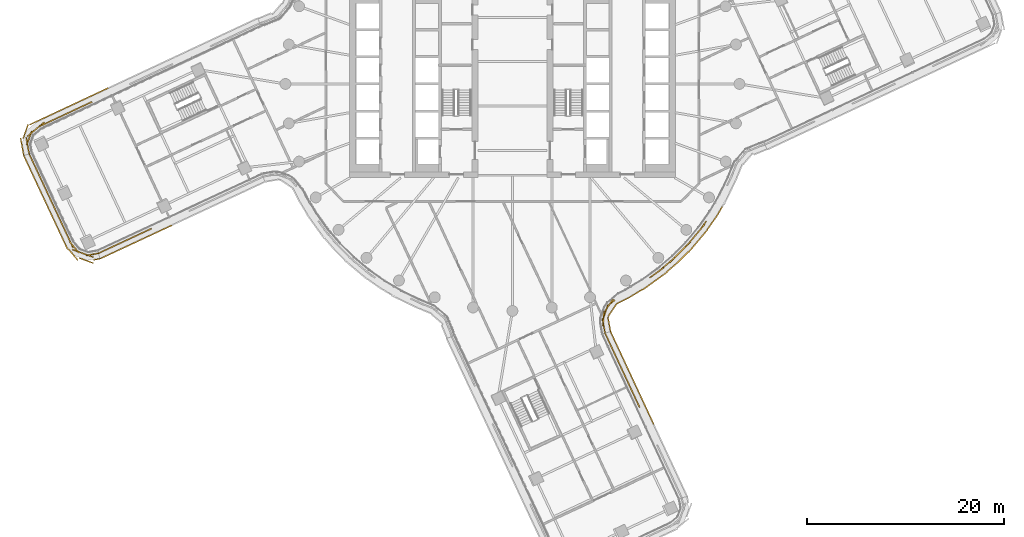
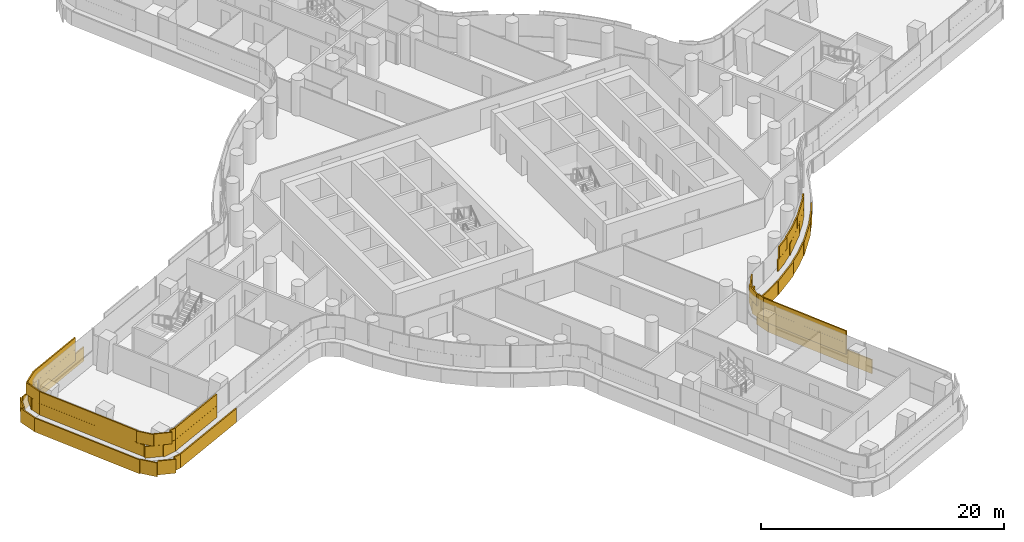
# One storey, part 30 of 36: 5 coverings.
"""IFC4 building model written with IfcOpenShell, lengths in metres."""

from ifc_helpers import new_model, si_unit, direction, frame, origin, origin_2d, place, context, subcontext, project, spatial, rectangle, extrude, material, layer, layer_set, type_object, element, save


model = new_model("IFC4")

# Units and contexts
model_context = context("Model", 3, precision=1e-05, world=origin(), true_north=direction((0.0, 1.0)))
body_context = subcontext(model_context, "Body", "Model", "MODEL_VIEW")
ifc_project = project(units=[si_unit("LENGTHUNIT", "METRE"), si_unit("AREAUNIT", "SQUARE_METRE"), si_unit("VOLUMEUNIT", "CUBIC_METRE"), si_unit("PLANEANGLEUNIT", "RADIAN"), si_unit("MASSUNIT", "GRAM", prefix="KILO")], contexts=[model_context])

# Site, building, storey
site_placement = place(None, origin())
site = spatial("IfcSite", under=ifc_project, at=site_placement, CompositionType="ELEMENT")
building_placement = place(site_placement, origin())
building = spatial("IfcBuilding", under=site, at=building_placement, Name="Tamarind Cross Interchange Tower", CompositionType="ELEMENT")
storey_placement = place(building_placement, frame((0.0, 0.0, 124.75)))
storey = spatial("IfcBuildingStorey", under=building, at=storey_placement, Name="L30", CompositionType="ELEMENT", Elevation=124.75)

# Coverings
ifc_material = material(Name="Terracotta", Category="masonry")
ifc_layer = layer(ifc_material, 0.1201171875)
ifc_layer_set = layer_set([ifc_layer], Name="Terracotta")
covering_type = type_object("IfcCoveringType", Name="Terracotta baguette screen unit", PredefinedType="MOLDING", material=ifc_layer_set)
covering_1_placement = place(storey_placement, origin())
element("IfcCovering", 1, at=covering_1_placement, inside=storey, type_object=covering_type, Name="SCR-L30-00-00", PredefinedType="MOLDING", context=body_context, shape_type="SweptSolid", body=[
    extrude(rectangle(XDim=1.510009765625, YDim=0.1201171875, at=origin_2d()), frame((-48.645263671875, -7.76220703125, 1.404052734375), z_axis=(0.0, 0.0, 1.0), x_axis=(0.423807415123, -0.905752325355, 0.0)), (0.0, 0.0, 1.0), 1.1669921875),
    extrude(rectangle(XDim=1.52001953125, YDim=0.1201171875, at=origin_2d()), frame((-48.009521484375, -9.120849609375, 1.404052734375), z_axis=(0.0, 0.0, 1.0), x_axis=(0.423807415123, -0.905752325355, 0.0)), (0.0, 0.0, 1.0), 1.1669921875),
    extrude(rectangle(XDim=1.52001953125, YDim=0.1201171875, at=origin_2d()), frame((-47.373779296875, -10.4794921875, 1.404052734375), z_axis=(0.0, 0.0, 1.0), x_axis=(0.423807415123, -0.905752325355, 0.0)), (0.0, 0.0, 1.0), 1.1669921875),
    extrude(rectangle(XDim=1.52001953125, YDim=0.1201171875, at=origin_2d()), frame((-46.73828125, -11.838134765625, 1.404052734375), z_axis=(0.0, 0.0, 1.0), x_axis=(0.423807415123, -0.905752325355, 0.0)), (0.0, 0.0, 1.0), 1.1669921875),
    extrude(rectangle(XDim=1.52001953125, YDim=0.1201171875, at=origin_2d()), frame((-46.1025390625, -13.19677734375, 1.404052734375), z_axis=(0.0, 0.0, 1.0), x_axis=(0.423807415123, -0.905752325355, 0.0)), (0.0, 0.0, 1.0), 1.1669921875),
    extrude(rectangle(XDim=1.52001953125, YDim=0.1201171875, at=origin_2d()), frame((-45.466796875, -14.555419921875, 1.404052734375), z_axis=(0.0, 0.0, 1.0), x_axis=(0.423807415123, -0.905752325355, 0.0)), (0.0, 0.0, 1.0), 1.1669921875),
    extrude(rectangle(XDim=1.52001953125, YDim=0.1201171875, at=origin_2d()), frame((-44.8310546875, -15.9140625, 1.404052734375), z_axis=(0.0, 0.0, 1.0), x_axis=(0.423807415123, -0.905752325355, 0.0)), (0.0, 0.0, 1.0), 1.1669921875),
    extrude(rectangle(XDim=1.52001953125, YDim=0.1201171875, at=origin_2d()), frame((-43.879638671875, -17.034423828125, 1.404052734375), z_axis=(0.0, 0.0, 1.0), x_axis=(0.940140708485, -0.340786514184, 0.0)), (0.0, 0.0, 1.0), 1.1669921875),
    extrude(rectangle(XDim=1.259521484375, YDim=0.1201171875, at=origin_2d()), frame((-42.5673828125, -17.272705078125, 1.404052734375), z_axis=(0.0, 0.0, 1.0), x_axis=(0.984578993772, 0.174940575692, 0.0)), (0.0, 0.0, 1.0), 1.1669921875),
    extrude(rectangle(XDim=0.760009765625, YDim=0.1201171875, at=origin_2d()), frame((-48.80419921875, -7.422607421875, 2.5791015625), z_axis=(0.0, 0.0, 1.0), x_axis=(0.423807415123, -0.905752325355, 0.0)), (0.0, 0.0, 1.0), 1.1669921875),
    extrude(rectangle(XDim=1.52001953125, YDim=0.1201171875, at=origin_2d()), frame((-48.327392578125, -8.44140625, 2.5791015625), z_axis=(0.0, 0.0, 1.0), x_axis=(0.423807415123, -0.905752325355, 0.0)), (0.0, 0.0, 1.0), 1.1669921875),
    extrude(rectangle(XDim=1.52001953125, YDim=0.1201171875, at=origin_2d()), frame((-47.691650390625, -9.800048828125, 2.5791015625), z_axis=(0.0, 0.0, 1.0), x_axis=(0.423807415123, -0.905752325355, 0.0)), (0.0, 0.0, 1.0), 1.1669921875),
    extrude(rectangle(XDim=1.52001953125, YDim=0.1201171875, at=origin_2d()), frame((-47.05615234375, -11.15869140625, 2.5791015625), z_axis=(0.0, 0.0, 1.0), x_axis=(0.423807415123, -0.905752325355, 0.0)), (0.0, 0.0, 1.0), 1.1669921875),
    extrude(rectangle(XDim=1.52001953125, YDim=0.1201171875, at=origin_2d()), frame((-46.42041015625, -12.517333984375, 2.5791015625), z_axis=(0.0, 0.0, 1.0), x_axis=(0.423807415123, -0.905752325355, 0.0)), (0.0, 0.0, 1.0), 1.1669921875),
    extrude(rectangle(XDim=1.52001953125, YDim=0.1201171875, at=origin_2d()), frame((-45.78466796875, -13.8759765625, 2.5791015625), z_axis=(0.0, 0.0, 1.0), x_axis=(0.423807415123, -0.905752325355, 0.0)), (0.0, 0.0, 1.0), 1.1669921875),
    extrude(rectangle(XDim=1.52001953125, YDim=0.1201171875, at=origin_2d()), frame((-45.14892578125, -15.234619140625, 2.5791015625), z_axis=(0.0, 0.0, 1.0), x_axis=(0.423807415123, -0.905752325355, 0.0)), (0.0, 0.0, 1.0), 1.1669921875),
    extrude(rectangle(XDim=1.52001953125, YDim=0.1201171875, at=origin_2d()), frame((-44.408447265625, -16.5263671875, 2.5791015625), z_axis=(0.0, 0.0, 1.0), x_axis=(0.643792479588, -0.765200132793, 0.0)), (0.0, 0.0, 1.0), 1.1669921875),
    extrude(rectangle(XDim=1.52001953125, YDim=0.1201171875, at=origin_2d()), frame((-43.174560546875, -17.2900390625, 2.5791015625), z_axis=(0.0, 0.0, 1.0), x_axis=(0.940140708485, -0.340786514184, 0.0)), (0.0, 0.0, 1.0), 1.1669921875),
    extrude(rectangle(XDim=0.509521484375, YDim=0.1201171875, at=origin_2d()), frame((-42.197998046875, -17.20703125, 2.5791015625), z_axis=(0.0, 0.0, 1.0), x_axis=(0.984578993772, 0.174940575692, 0.0)), (0.0, 0.0, 1.0), 1.1669921875),
    extrude(rectangle(XDim=1.510009765625, YDim=0.1201171875, at=origin_2d()), frame((-49.195068359375, -7.941650390625, 0.00390625), z_axis=(0.0, 0.0, 1.0), x_axis=(0.423807415123, -0.905752325355, 0.0)), (0.0, 0.0, 1.0), 1.39208984375),
    extrude(rectangle(XDim=1.52001953125, YDim=0.1201171875, at=origin_2d()), frame((-48.5615234375, -9.295654296875, 0.00390625), z_axis=(0.0, 0.0, 1.0), x_axis=(0.423807415123, -0.905752325355, 0.0)), (0.0, 0.0, 1.0), 1.39208984375),
    extrude(rectangle(XDim=1.52001953125, YDim=0.1201171875, at=origin_2d()), frame((-47.92578125, -10.654296875, 0.00390625), z_axis=(0.0, 0.0, 1.0), x_axis=(0.423807415123, -0.905752325355, 0.0)), (0.0, 0.0, 1.0), 1.39208984375),
    extrude(rectangle(XDim=1.52001953125, YDim=0.1201171875, at=origin_2d()), frame((-47.2900390625, -12.012939453125, 0.00390625), z_axis=(0.0, 0.0, 1.0), x_axis=(0.423807415123, -0.905752325355, 0.0)), (0.0, 0.0, 1.0), 1.39208984375),
    extrude(rectangle(XDim=1.52001953125, YDim=0.1201171875, at=origin_2d()), frame((-46.654296875, -13.37158203125, 0.00390625), z_axis=(0.0, 0.0, 1.0), x_axis=(0.423807415123, -0.905752325355, 0.0)), (0.0, 0.0, 1.0), 1.39208984375),
    extrude(rectangle(XDim=1.52001953125, YDim=0.1201171875, at=origin_2d()), frame((-46.018798828125, -14.730224609375, 0.00390625), z_axis=(0.0, 0.0, 1.0), x_axis=(0.423807415123, -0.905752325355, 0.0)), (0.0, 0.0, 1.0), 1.39208984375),
    extrude(rectangle(XDim=1.52001953125, YDim=0.1201171875, at=origin_2d()), frame((-45.383056640625, -16.0888671875, 0.00390625), z_axis=(0.0, 0.0, 1.0), x_axis=(0.423807415123, -0.905752325355, 0.0)), (0.0, 0.0, 1.0), 1.39208984375),
    extrude(rectangle(XDim=1.52001953125, YDim=0.1201171875, at=origin_2d()), frame((-44.5107421875, -17.29638671875, 0.00390625), z_axis=(0.0, 0.0, 1.0), x_axis=(0.643792479588, -0.765200132793, 0.0)), (0.0, 0.0, 1.0), 1.39208984375),
    extrude(rectangle(XDim=1.52001953125, YDim=0.1201171875, at=origin_2d()), frame((-43.167236328125, -17.903076171875, 0.00390625), z_axis=(0.0, 0.0, 1.0), x_axis=(0.940140708485, -0.340786514184, 0.0)), (0.0, 0.0, 1.0), 1.39208984375),
    extrude(rectangle(XDim=0.676513671875, YDim=0.1201171875, at=origin_2d()), frame((-42.11083984375, -17.774658203125, 0.00390625), z_axis=(0.0, 0.0, 1.0), x_axis=(0.984578993772, 0.174940575692, 0.0)), (0.0, 0.0, 1.0), 1.39208984375),
])
covering_2_placement = place(storey_placement, origin())
element("IfcCovering", 2, at=covering_2_placement, inside=storey, type_object=covering_type, Name="SCR-L30-01-00", PredefinedType="MOLDING", context=body_context, shape_type="SweptSolid", body=[
    extrude(rectangle(XDim=1.510009765625, YDim=0.1201171875, at=origin_2d()), frame((-41.272216796875, -16.846923828125, 1.404052734375), z_axis=(0.0, 0.0, 1.0), x_axis=(0.906515024732, 0.422173554282, 0.0)), (0.0, 0.0, 1.0), 1.1669921875),
    extrude(rectangle(XDim=1.52001953125, YDim=0.1201171875, at=origin_2d()), frame((-39.912353515625, -16.213623046875, 1.404052734375), z_axis=(0.0, 0.0, 1.0), x_axis=(0.906515024732, 0.422173554282, 0.0)), (0.0, 0.0, 1.0), 1.1669921875),
    extrude(rectangle(XDim=1.52001953125, YDim=0.1201171875, at=origin_2d()), frame((-38.552734375, -15.580322265625, 1.404052734375), z_axis=(0.0, 0.0, 1.0), x_axis=(0.906515024732, 0.422173554282, 0.0)), (0.0, 0.0, 1.0), 1.1669921875),
    extrude(rectangle(XDim=1.44384765625, YDim=0.1201171875, at=origin_2d()), frame((-37.222900390625, -14.9609375, 1.404052734375), z_axis=(0.0, 0.0, 1.0), x_axis=(0.906515024732, 0.422173554282, 0.0)), (0.0, 0.0, 1.0), 1.1669921875),
    extrude(rectangle(XDim=0.760009765625, YDim=0.1201171875, at=origin_2d()), frame((-41.612060546875, -17.005126953125, 2.5791015625), z_axis=(0.0, 0.0, 1.0), x_axis=(0.906515024732, 0.422173554282, 0.0)), (0.0, 0.0, 1.0), 1.1669921875),
    extrude(rectangle(XDim=1.52001953125, YDim=0.1201171875, at=origin_2d()), frame((-40.59228515625, -16.5302734375, 2.5791015625), z_axis=(0.0, 0.0, 1.0), x_axis=(0.906515024732, 0.422173554282, 0.0)), (0.0, 0.0, 1.0), 1.1669921875),
    extrude(rectangle(XDim=1.52001953125, YDim=0.1201171875, at=origin_2d()), frame((-39.232666015625, -15.89697265625, 2.5791015625), z_axis=(0.0, 0.0, 1.0), x_axis=(0.906515024732, 0.422173554282, 0.0)), (0.0, 0.0, 1.0), 1.1669921875),
    extrude(rectangle(XDim=1.52001953125, YDim=0.1201171875, at=origin_2d()), frame((-37.872802734375, -15.263671875, 2.5791015625), z_axis=(0.0, 0.0, 1.0), x_axis=(0.906515024732, 0.422173554282, 0.0)), (0.0, 0.0, 1.0), 1.1669921875),
    extrude(rectangle(XDim=0.69384765625, YDim=0.1201171875, at=origin_2d()), frame((-36.883056640625, -14.802734375, 2.5791015625), z_axis=(0.0, 0.0, 1.0), x_axis=(0.906515024732, 0.422173554282, 0.0)), (0.0, 0.0, 1.0), 1.1669921875),
    extrude(rectangle(XDim=1.510009765625, YDim=0.1201171875, at=origin_2d()), frame((-41.093505859375, -17.396728515625, 0.00390625), z_axis=(0.0, 0.0, 1.0), x_axis=(0.906515024732, 0.422173554282, 0.0)), (0.0, 0.0, 1.0), 1.39208984375),
    extrude(rectangle(XDim=1.52001953125, YDim=0.1201171875, at=origin_2d()), frame((-39.738037109375, -16.765625, 0.00390625), z_axis=(0.0, 0.0, 1.0), x_axis=(0.906515024732, 0.422173554282, 0.0)), (0.0, 0.0, 1.0), 1.39208984375),
    extrude(rectangle(XDim=1.52001953125, YDim=0.1201171875, at=origin_2d()), frame((-38.37841796875, -16.13232421875, 0.00390625), z_axis=(0.0, 0.0, 1.0), x_axis=(0.906515024732, 0.422173554282, 0.0)), (0.0, 0.0, 1.0), 1.39208984375),
    extrude(rectangle(XDim=1.52001953125, YDim=0.1201171875, at=origin_2d()), frame((-37.0185546875, -15.4990234375, 0.00390625), z_axis=(0.0, 0.0, 1.0), x_axis=(0.906515024732, 0.422173554282, 0.0)), (0.0, 0.0, 1.0), 1.39208984375),
    extrude(rectangle(XDim=1.52001953125, YDim=0.1201171875, at=origin_2d()), frame((-35.658935546875, -14.86572265625, 0.00390625), z_axis=(0.0, 0.0, 1.0), x_axis=(0.906515024732, 0.422173554282, 0.0)), (0.0, 0.0, 1.0), 1.39208984375),
    extrude(rectangle(XDim=0.544189453125, YDim=0.1201171875, at=origin_2d()), frame((-34.741455078125, -14.4384765625, 0.00390625), z_axis=(0.0, 0.0, 1.0), x_axis=(0.906515024732, 0.422173554282, 0.0)), (0.0, 0.0, 1.0), 1.39208984375),
])
covering_3_placement = place(storey_placement, origin())
element("IfcCovering", 3, at=covering_3_placement, inside=storey, type_object=covering_type, Name="SCR-L30-05-01", PredefinedType="MOLDING", context=body_context, shape_type="SweptSolid", body=[
    extrude(rectangle(XDim=0.376220703125, YDim=0.1201171875, at=origin_2d()), frame((12.807861328125, -32.599609375, 1.404052734375), z_axis=(0.0, 0.0, 1.0), x_axis=(-0.422173554282, 0.906515024732, 0.0)), (0.0, 0.0, 1.0), 1.1669921875),
    extrude(rectangle(XDim=1.52001953125, YDim=0.1201171875, at=origin_2d()), frame((12.4140625, -31.75390625, 1.404052734375), z_axis=(0.0, 0.0, 1.0), x_axis=(-0.422173554282, 0.906515024732, 0.0)), (0.0, 0.0, 1.0), 1.1669921875),
    extrude(rectangle(XDim=1.52001953125, YDim=0.1201171875, at=origin_2d()), frame((11.78076171875, -30.39404296875, 1.404052734375), z_axis=(0.0, 0.0, 1.0), x_axis=(-0.422173554282, 0.906515024732, 0.0)), (0.0, 0.0, 1.0), 1.1669921875),
    extrude(rectangle(XDim=1.52001953125, YDim=0.1201171875, at=origin_2d()), frame((11.1474609375, -29.0341796875, 1.404052734375), z_axis=(0.0, 0.0, 1.0), x_axis=(-0.422173554282, 0.906515024732, 0.0)), (0.0, 0.0, 1.0), 1.1669921875),
    extrude(rectangle(XDim=1.52001953125, YDim=0.1201171875, at=origin_2d()), frame((10.51416015625, -27.674560546875, 1.404052734375), z_axis=(0.0, 0.0, 1.0), x_axis=(-0.422173554282, 0.906515024732, 0.0)), (0.0, 0.0, 1.0), 1.1669921875),
    extrude(rectangle(XDim=1.52001953125, YDim=0.1201171875, at=origin_2d()), frame((9.880859375, -26.314697265625, 1.404052734375), z_axis=(0.0, 0.0, 1.0), x_axis=(-0.422173554282, 0.906515024732, 0.0)), (0.0, 0.0, 1.0), 1.1669921875),
    extrude(rectangle(XDim=0.423828125, YDim=0.1201171875, at=origin_2d()), frame((9.47705078125, -25.447265625, 1.404052734375), z_axis=(0.0, 0.0, 1.0), x_axis=(-0.422173554282, 0.906515024732, 0.0)), (0.0, 0.0, 1.0), 1.1669921875),
    extrude(rectangle(XDim=1.126220703125, YDim=0.1201171875, at=origin_2d()), frame((12.649658203125, -32.259765625, 2.5791015625), z_axis=(0.0, 0.0, 1.0), x_axis=(-0.422173554282, 0.906515024732, 0.0)), (0.0, 0.0, 1.0), 1.1669921875),
    extrude(rectangle(XDim=1.52001953125, YDim=0.1201171875, at=origin_2d()), frame((12.097412109375, -31.073974609375, 2.5791015625), z_axis=(0.0, 0.0, 1.0), x_axis=(-0.422173554282, 0.906515024732, 0.0)), (0.0, 0.0, 1.0), 1.1669921875),
    extrude(rectangle(XDim=1.52001953125, YDim=0.1201171875, at=origin_2d()), frame((11.464111328125, -29.714111328125, 2.5791015625), z_axis=(0.0, 0.0, 1.0), x_axis=(-0.422173554282, 0.906515024732, 0.0)), (0.0, 0.0, 1.0), 1.1669921875),
    extrude(rectangle(XDim=1.52001953125, YDim=0.1201171875, at=origin_2d()), frame((10.830810546875, -28.3544921875, 2.5791015625), z_axis=(0.0, 0.0, 1.0), x_axis=(-0.422173554282, 0.906515024732, 0.0)), (0.0, 0.0, 1.0), 1.1669921875),
    extrude(rectangle(XDim=1.52001953125, YDim=0.1201171875, at=origin_2d()), frame((10.197509765625, -26.99462890625, 2.5791015625), z_axis=(0.0, 0.0, 1.0), x_axis=(-0.422173554282, 0.906515024732, 0.0)), (0.0, 0.0, 1.0), 1.1669921875),
    extrude(rectangle(XDim=1.173828125, YDim=0.1201171875, at=origin_2d()), frame((9.63525390625, -25.787109375, 2.5791015625), z_axis=(0.0, 0.0, 1.0), x_axis=(-0.422173554282, 0.906515024732, 0.0)), (0.0, 0.0, 1.0), 1.1669921875),
    extrude(rectangle(XDim=0.975830078125, YDim=0.1201171875, at=origin_2d()), frame((14.11767578125, -34.052490234375, 0.00390625), z_axis=(0.0, 0.0, 1.0), x_axis=(-0.422173554282, 0.906515024732, 0.0)), (0.0, 0.0, 1.0), 1.39208984375),
    extrude(rectangle(XDim=1.52001953125, YDim=0.1201171875, at=origin_2d()), frame((13.599365234375, -32.939208984375, 0.00390625), z_axis=(0.0, 0.0, 1.0), x_axis=(-0.422173554282, 0.906515024732, 0.0)), (0.0, 0.0, 1.0), 1.39208984375),
    extrude(rectangle(XDim=1.52001953125, YDim=0.1201171875, at=origin_2d()), frame((12.966064453125, -31.57958984375, 0.00390625), z_axis=(0.0, 0.0, 1.0), x_axis=(-0.422173554282, 0.906515024732, 0.0)), (0.0, 0.0, 1.0), 1.39208984375),
    extrude(rectangle(XDim=1.52001953125, YDim=0.1201171875, at=origin_2d()), frame((12.332763671875, -30.2197265625, 0.00390625), z_axis=(0.0, 0.0, 1.0), x_axis=(-0.422173554282, 0.906515024732, 0.0)), (0.0, 0.0, 1.0), 1.39208984375),
    extrude(rectangle(XDim=1.52001953125, YDim=0.1201171875, at=origin_2d()), frame((11.699462890625, -28.85986328125, 0.00390625), z_axis=(0.0, 0.0, 1.0), x_axis=(-0.422173554282, 0.906515024732, 0.0)), (0.0, 0.0, 1.0), 1.39208984375),
    extrude(rectangle(XDim=1.52001953125, YDim=0.1201171875, at=origin_2d()), frame((11.066162109375, -27.500244140625, 0.00390625), z_axis=(0.0, 0.0, 1.0), x_axis=(-0.422173554282, 0.906515024732, 0.0)), (0.0, 0.0, 1.0), 1.39208984375),
    extrude(rectangle(XDim=1.52001953125, YDim=0.1201171875, at=origin_2d()), frame((10.432861328125, -26.140380859375, 0.00390625), z_axis=(0.0, 0.0, 1.0), x_axis=(-0.422173554282, 0.906515024732, 0.0)), (0.0, 0.0, 1.0), 1.39208984375),
    extrude(rectangle(XDim=0.4248046875, YDim=0.1201171875, at=origin_2d()), frame((10.031005859375, -25.277099609375, 0.00390625), z_axis=(0.0, 0.0, 1.0), x_axis=(-0.422173554282, 0.906515024732, 0.0)), (0.0, 0.0, 1.0), 1.39208984375),
])
covering_4_placement = place(storey_placement, origin())
element("IfcCovering", 4, at=covering_4_placement, inside=storey, type_object=covering_type, Name="SCR-L30-06-00", PredefinedType="MOLDING", context=body_context, shape_type="SweptSolid", body=[
    extrude(rectangle(XDim=1.510009765625, YDim=0.1201171875, at=origin_2d()), frame((9.25634765625, -24.521484375, 1.404052734375), z_axis=(0.0, 0.0, 1.0), x_axis=(-0.177739252505, 0.984077617934, 0.0)), (0.0, 0.0, 1.0), 1.1669921875),
    extrude(rectangle(XDim=1.52001953125, YDim=0.1201171875, at=origin_2d()), frame((9.44384765625, -23.06591796875, 1.404052734375), z_axis=(0.0, 0.0, 1.0), x_axis=(0.332755096556, 0.943013279713, 0.0)), (0.0, 0.0, 1.0), 1.1669921875),
    extrude(rectangle(XDim=0.78173828125, YDim=0.1201171875, at=origin_2d()), frame((10.06884765625, -22.146240234375, 1.404052734375), z_axis=(0.0, 0.0, 1.0), x_axis=(0.771263885441, 0.636515529279, 0.0)), (0.0, 0.0, 1.0), 1.1669921875),
    extrude(rectangle(XDim=1.0380859375, YDim=0.1201171875, at=origin_2d()), frame((14.3154296875, -19.34716796875, 1.404052734375), z_axis=(0.0, 0.0, 1.0), x_axis=(0.811340475102, 0.584573890505, 0.0)), (0.0, 0.0, 1.0), 1.1669921875),
    extrude(rectangle(XDim=1.52001953125, YDim=0.1201171875, at=origin_2d()), frame((15.3115234375, -18.57080078125, 1.404052734375), z_axis=(0.0, 0.0, 1.0), x_axis=(0.760295606781, 0.64957723968, 0.0)), (0.0, 0.0, 1.0), 1.1669921875),
    extrude(rectangle(XDim=1.52001953125, YDim=0.1201171875, at=origin_2d()), frame((16.447509765625, -17.591552734375, 1.404052734375), z_axis=(0.0, 0.0, 1.0), x_axis=(0.704057148523, 0.710143317658, 0.0)), (0.0, 0.0, 1.0), 1.1669921875),
    extrude(rectangle(XDim=1.52001953125, YDim=0.1201171875, at=origin_2d()), frame((17.50341796875, -16.5263671875, 1.404052734375), z_axis=(0.0, 0.0, 1.0), x_axis=(0.704057148523, 0.710143317658, 0.0)), (0.0, 0.0, 1.0), 1.1669921875),
    extrude(rectangle(XDim=1.52001953125, YDim=0.1201171875, at=origin_2d()), frame((18.492919921875, -15.400146484375, 1.404052734375), z_axis=(0.0, 0.0, 1.0), x_axis=(0.643009266048, 0.765858396687, 0.0)), (0.0, 0.0, 1.0), 1.1669921875),
    extrude(rectangle(XDim=1.14013671875, YDim=0.1201171875, at=origin_2d()), frame((19.311279296875, -14.3720703125, 1.404052734375), z_axis=(0.0, 0.0, 1.0), x_axis=(0.577568978284, 0.816341886298, 0.0)), (0.0, 0.0, 1.0), 1.1669921875),
    extrude(rectangle(XDim=0.760009765625, YDim=0.1201171875, at=origin_2d()), frame((9.322998046875, -24.890625, 2.5791015625), z_axis=(0.0, 0.0, 1.0), x_axis=(-0.177739252505, 0.984077617934, 0.0)), (0.0, 0.0, 1.0), 1.1669921875),
    extrude(rectangle(XDim=1.52001953125, YDim=0.1201171875, at=origin_2d()), frame((9.22021484375, -23.77880859375, 2.5791015625), z_axis=(0.0, 0.0, 1.0), x_axis=(0.080181344121, 0.99678029277, 0.0)), (0.0, 0.0, 1.0), 1.1669921875),
    extrude(rectangle(XDim=1.52001953125, YDim=0.1201171875, at=origin_2d()), frame((9.78662109375, -22.406005859375, 2.5791015625), z_axis=(0.0, 0.0, 1.0), x_axis=(0.56313927764, 0.826361999355, 0.0)), (0.0, 0.0, 1.0), 1.1669921875),
    extrude(rectangle(XDim=1.52001953125, YDim=0.1201171875, at=origin_2d()), frame((14.732421875, -19.046630859375, 2.5791015625), z_axis=(0.0, 0.0, 1.0), x_axis=(0.811340475102, 0.584573890505, 0.0)), (0.0, 0.0, 1.0), 1.1669921875),
    extrude(rectangle(XDim=1.52001953125, YDim=0.1201171875, at=origin_2d()), frame((15.8818359375, -18.083740234375, 2.5791015625), z_axis=(0.0, 0.0, 1.0), x_axis=(0.760295606781, 0.64957723968, 0.0)), (0.0, 0.0, 1.0), 1.1669921875),
    extrude(rectangle(XDim=1.52001953125, YDim=0.1201171875, at=origin_2d()), frame((16.9755859375, -17.058837890625, 2.5791015625), z_axis=(0.0, 0.0, 1.0), x_axis=(0.704057148523, 0.710143317658, 0.0)), (0.0, 0.0, 1.0), 1.1669921875),
    extrude(rectangle(XDim=1.52001953125, YDim=0.1201171875, at=origin_2d()), frame((18.0107421875, -15.974609375, 2.5791015625), z_axis=(0.0, 0.0, 1.0), x_axis=(0.643009266048, 0.765858396687, 0.0)), (0.0, 0.0, 1.0), 1.1669921875),
    extrude(rectangle(XDim=1.52001953125, YDim=0.1201171875, at=origin_2d()), frame((18.97509765625, -14.825927734375, 2.5791015625), z_axis=(0.0, 0.0, 1.0), x_axis=(0.643009266048, 0.765858396687, 0.0)), (0.0, 0.0, 1.0), 1.1669921875),
    extrude(rectangle(XDim=0.39013671875, YDim=0.1201171875, at=origin_2d()), frame((19.52783203125, -14.06591796875, 2.5791015625), z_axis=(0.0, 0.0, 1.0), x_axis=(0.577568978284, 0.816341886298, 0.0)), (0.0, 0.0, 1.0), 1.1669921875),
    extrude(rectangle(XDim=1.510009765625, YDim=0.1201171875, at=origin_2d()), frame((9.80712890625, -24.341552734375, 0.00390625), z_axis=(0.0, 0.0, 1.0), x_axis=(-0.177739252505, 0.984077617934, 0.0)), (0.0, 0.0, 1.0), 1.39208984375),
    extrude(rectangle(XDim=1.52001953125, YDim=0.1201171875, at=origin_2d()), frame((10.1328125, -22.9169921875, 0.00390625), z_axis=(0.0, 0.0, 1.0), x_axis=(0.56313927764, 0.826361999355, 0.0)), (0.0, 0.0, 1.0), 1.39208984375),
    extrude(rectangle(XDim=1.52001953125, YDim=0.1201171875, at=origin_2d()), frame((11.249755859375, -21.929443359375, 0.00390625), z_axis=(0.0, 0.0, 1.0), x_axis=(0.893328914769, 0.449403437946, 0.0)), (0.0, 0.0, 1.0), 1.39208984375),
    extrude(rectangle(XDim=1.52001953125, YDim=0.1201171875, at=origin_2d()), frame((12.558837890625, -21.19921875, 0.00390625), z_axis=(0.0, 0.0, 1.0), x_axis=(0.856843065292, 0.515577308909, 0.0)), (0.0, 0.0, 1.0), 1.39208984375),
    extrude(rectangle(XDim=1.52001953125, YDim=0.1201171875, at=origin_2d()), frame((13.829833984375, -20.404296875, 0.00390625), z_axis=(0.0, 0.0, 1.0), x_axis=(0.811340475102, 0.584573890505, 0.0)), (0.0, 0.0, 1.0), 1.39208984375),
    extrude(rectangle(XDim=1.52001953125, YDim=0.1201171875, at=origin_2d()), frame((15.046875, -19.52734375, 0.00390625), z_axis=(0.0, 0.0, 1.0), x_axis=(0.811340475102, 0.584573890505, 0.0)), (0.0, 0.0, 1.0), 1.39208984375),
    extrude(rectangle(XDim=1.52001953125, YDim=0.1201171875, at=origin_2d()), frame((16.198974609375, -18.56787109375, 0.00390625), z_axis=(0.0, 0.0, 1.0), x_axis=(0.760295606781, 0.64957723968, 0.0)), (0.0, 0.0, 1.0), 1.39208984375),
    extrude(rectangle(XDim=1.52001953125, YDim=0.1201171875, at=origin_2d()), frame((17.298095703125, -17.548828125, 0.00390625), z_axis=(0.0, 0.0, 1.0), x_axis=(0.704057148523, 0.710143317658, 0.0)), (0.0, 0.0, 1.0), 1.39208984375),
    extrude(rectangle(XDim=1.52001953125, YDim=0.1201171875, at=origin_2d()), frame((18.342041015625, -16.47265625, 0.00390625), z_axis=(0.0, 0.0, 1.0), x_axis=(0.643009266048, 0.765858396687, 0.0)), (0.0, 0.0, 1.0), 1.39208984375),
    extrude(rectangle(XDim=1.52001953125, YDim=0.1201171875, at=origin_2d()), frame((19.306640625, -15.32373046875, 0.00390625), z_axis=(0.0, 0.0, 1.0), x_axis=(0.643009266048, 0.765858396687, 0.0)), (0.0, 0.0, 1.0), 1.39208984375),
    extrude(rectangle(XDim=1.52001953125, YDim=0.1201171875, at=origin_2d()), frame((20.1953125, -14.116455078125, 0.00390625), z_axis=(0.0, 0.0, 1.0), x_axis=(0.577568978284, 0.816341886298, 0.0)), (0.0, 0.0, 1.0), 1.39208984375),
    extrude(rectangle(XDim=1.255859375, YDim=0.1201171875, at=origin_2d()), frame((20.951416015625, -12.977783203125, 0.00390625), z_axis=(0.0, 0.0, 1.0), x_axis=(0.508183308752, 0.861248933065, 0.0)), (0.0, 0.0, 1.0), 1.39208984375),
])
covering_5_placement = place(storey_placement, origin())
element("IfcCovering", 5, at=covering_5_placement, inside=storey, type_object=covering_type, Name="SCR-L30-15-02", PredefinedType="MOLDING", context=body_context, shape_type="SweptSolid", body=[
    extrude(rectangle(XDim=0.75634765625, YDim=0.1201171875, at=origin_2d()), frame((-42.919921875, -1.960693359375, 1.404052734375), z_axis=(0.0, 0.0, 1.0), x_axis=(-0.905752325355, -0.423807415123, 0.0)), (0.0, 0.0, 1.0), 1.1669921875),
    extrude(rectangle(XDim=1.52001953125, YDim=0.1201171875, at=origin_2d()), frame((-43.937255859375, -2.436767578125, 1.404052734375), z_axis=(0.0, 0.0, 1.0), x_axis=(-0.905752325355, -0.423807415123, 0.0)), (0.0, 0.0, 1.0), 1.1669921875),
    extrude(rectangle(XDim=1.52001953125, YDim=0.1201171875, at=origin_2d()), frame((-45.2958984375, -3.072509765625, 1.404052734375), z_axis=(0.0, 0.0, 1.0), x_axis=(-0.905752325355, -0.423807415123, 0.0)), (0.0, 0.0, 1.0), 1.1669921875),
    extrude(rectangle(XDim=1.52001953125, YDim=0.1201171875, at=origin_2d()), frame((-46.654296875, -3.708251953125, 1.404052734375), z_axis=(0.0, 0.0, 1.0), x_axis=(-0.905752325355, -0.423807415123, 0.0)), (0.0, 0.0, 1.0), 1.1669921875),
    extrude(rectangle(XDim=1.52001953125, YDim=0.1201171875, at=origin_2d()), frame((-48.005126953125, -4.3564453125, 1.404052734375), z_axis=(0.0, 0.0, 1.0), x_axis=(-0.765200132793, -0.643792479588, 0.0)), (0.0, 0.0, 1.0), 1.1669921875),
    extrude(rectangle(XDim=1.52001953125, YDim=0.1201171875, at=origin_2d()), frame((-48.94677734375, -5.466064453125, 1.404052734375), z_axis=(0.0, 0.0, 1.0), x_axis=(-0.340786514184, -0.940140708485, 0.0)), (0.0, 0.0, 1.0), 1.1669921875),
    extrude(rectangle(XDim=0.92919921875, YDim=0.1201171875, at=origin_2d()), frame((-49.04345703125, -6.63037109375, 1.404052734375), z_axis=(0.0, 0.0, 1.0), x_axis=(0.174940575692, -0.984578993772, 0.0)), (0.0, 0.0, 1.0), 1.1669921875),
    extrude(rectangle(XDim=1.50634765625, YDim=0.1201171875, at=origin_2d()), frame((-43.259521484375, -2.11962890625, 2.5791015625), z_axis=(0.0, 0.0, 1.0), x_axis=(-0.905752325355, -0.423807415123, 0.0)), (0.0, 0.0, 1.0), 1.1669921875),
    extrude(rectangle(XDim=1.52001953125, YDim=0.1201171875, at=origin_2d()), frame((-44.616455078125, -2.754638671875, 2.5791015625), z_axis=(0.0, 0.0, 1.0), x_axis=(-0.905752325355, -0.423807415123, 0.0)), (0.0, 0.0, 1.0), 1.1669921875),
    extrude(rectangle(XDim=1.52001953125, YDim=0.1201171875, at=origin_2d()), frame((-45.97509765625, -3.390380859375, 2.5791015625), z_axis=(0.0, 0.0, 1.0), x_axis=(-0.905752325355, -0.423807415123, 0.0)), (0.0, 0.0, 1.0), 1.1669921875),
    extrude(rectangle(XDim=1.52001953125, YDim=0.1201171875, at=origin_2d()), frame((-47.333740234375, -4.026123046875, 2.5791015625), z_axis=(0.0, 0.0, 1.0), x_axis=(-0.905752325355, -0.423807415123, 0.0)), (0.0, 0.0, 1.0), 1.1669921875),
    extrude(rectangle(XDim=1.52001953125, YDim=0.1201171875, at=origin_2d()), frame((-48.578857421875, -4.83935546875, 2.5791015625), z_axis=(0.0, 0.0, 1.0), x_axis=(-0.765200132793, -0.643792479588, 0.0)), (0.0, 0.0, 1.0), 1.1669921875),
    extrude(rectangle(XDim=1.52001953125, YDim=0.1201171875, at=origin_2d()), frame((-49.1240234375, -6.177734375, 2.5791015625), z_axis=(0.0, 0.0, 1.0), x_axis=(0.174940575692, -0.984578993772, 0.0)), (0.0, 0.0, 1.0), 1.1669921875),
    extrude(rectangle(XDim=0.17919921875, YDim=0.1201171875, at=origin_2d()), frame((-48.97802734375, -6.99951171875, 2.5791015625), z_axis=(0.0, 0.0, 1.0), x_axis=(0.174940575692, -0.984578993772, 0.0)), (0.0, 0.0, 1.0), 1.1669921875),
    extrude(rectangle(XDim=1.27978515625, YDim=0.1201171875, at=origin_2d()), frame((-41.537841796875, -0.680419921875, 0.00390625), z_axis=(0.0, 0.0, 1.0), x_axis=(-0.905752325355, -0.423807415123, 0.0)), (0.0, 0.0, 1.0), 1.39208984375),
    extrude(rectangle(XDim=1.52001953125, YDim=0.1201171875, at=origin_2d()), frame((-42.787841796875, -1.26513671875, 0.00390625), z_axis=(0.0, 0.0, 1.0), x_axis=(-0.905752325355, -0.423807415123, 0.0)), (0.0, 0.0, 1.0), 1.39208984375),
    extrude(rectangle(XDim=1.52001953125, YDim=0.1201171875, at=origin_2d()), frame((-44.146240234375, -1.90087890625, 0.00390625), z_axis=(0.0, 0.0, 1.0), x_axis=(-0.905752325355, -0.423807415123, 0.0)), (0.0, 0.0, 1.0), 1.39208984375),
    extrude(rectangle(XDim=1.52001953125, YDim=0.1201171875, at=origin_2d()), frame((-45.5048828125, -2.53662109375, 0.00390625), z_axis=(0.0, 0.0, 1.0), x_axis=(-0.905752325355, -0.423807415123, 0.0)), (0.0, 0.0, 1.0), 1.39208984375),
    extrude(rectangle(XDim=1.52001953125, YDim=0.1201171875, at=origin_2d()), frame((-46.863525390625, -3.17236328125, 0.00390625), z_axis=(0.0, 0.0, 1.0), x_axis=(-0.905752325355, -0.423807415123, 0.0)), (0.0, 0.0, 1.0), 1.39208984375),
    extrude(rectangle(XDim=1.52001953125, YDim=0.1201171875, at=origin_2d()), frame((-48.22216796875, -3.80810546875, 0.00390625), z_axis=(0.0, 0.0, 1.0), x_axis=(-0.905752325355, -0.423807415123, 0.0)), (0.0, 0.0, 1.0), 1.39208984375),
    extrude(rectangle(XDim=1.52001953125, YDim=0.1201171875, at=origin_2d()), frame((-49.3173828125, -4.8037109375, 0.00390625), z_axis=(0.0, 0.0, 1.0), x_axis=(-0.340786514184, -0.940140708485, 0.0)), (0.0, 0.0, 1.0), 1.39208984375),
    extrude(rectangle(XDim=1.52001953125, YDim=0.1201171875, at=origin_2d()), frame((-49.698486328125, -6.22509765625, 0.00390625), z_axis=(0.0, 0.0, 1.0), x_axis=(0.174940575692, -0.984578993772, 0.0)), (0.0, 0.0, 1.0), 1.39208984375),
    extrude(rectangle(XDim=0.308837890625, YDim=0.1201171875, at=origin_2d()), frame((-49.5419921875, -7.105712890625, 0.00390625), z_axis=(0.0, 0.0, 1.0), x_axis=(0.174940575692, -0.984578993772, 0.0)), (0.0, 0.0, 1.0), 1.39208984375),
])

save(model, "model.ifc")
